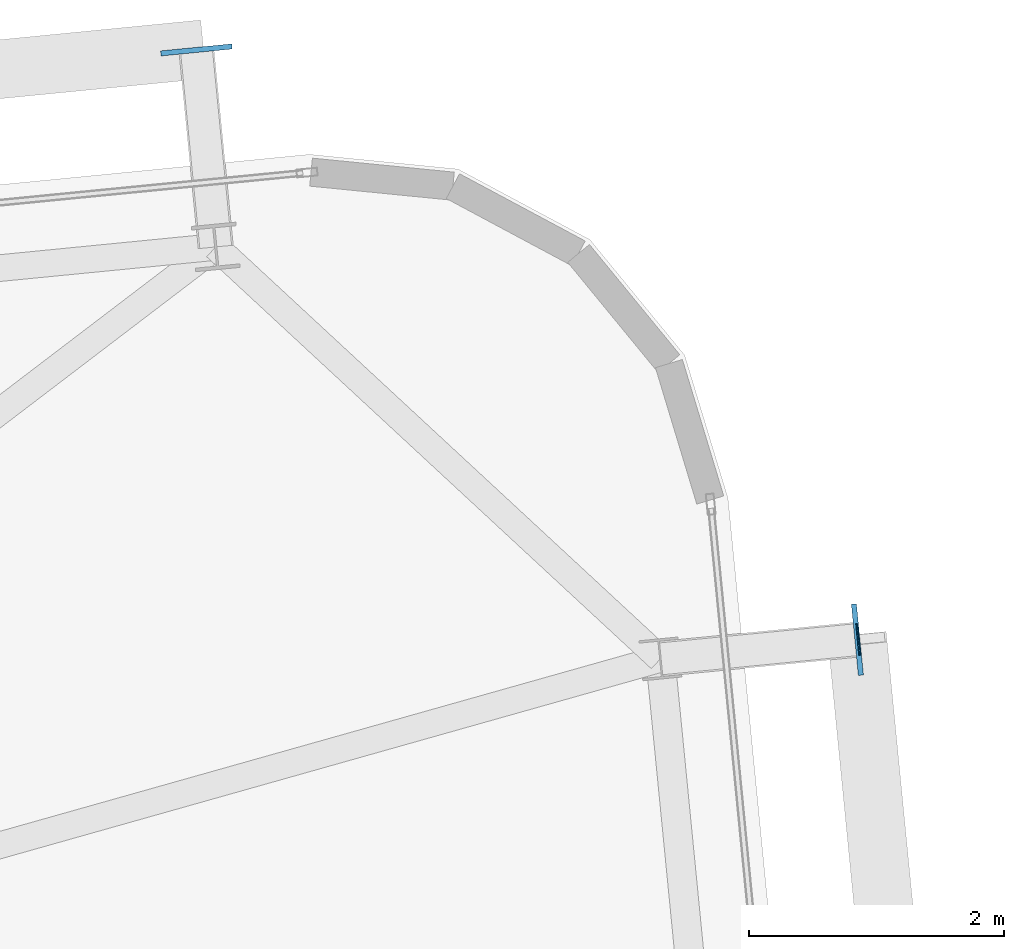
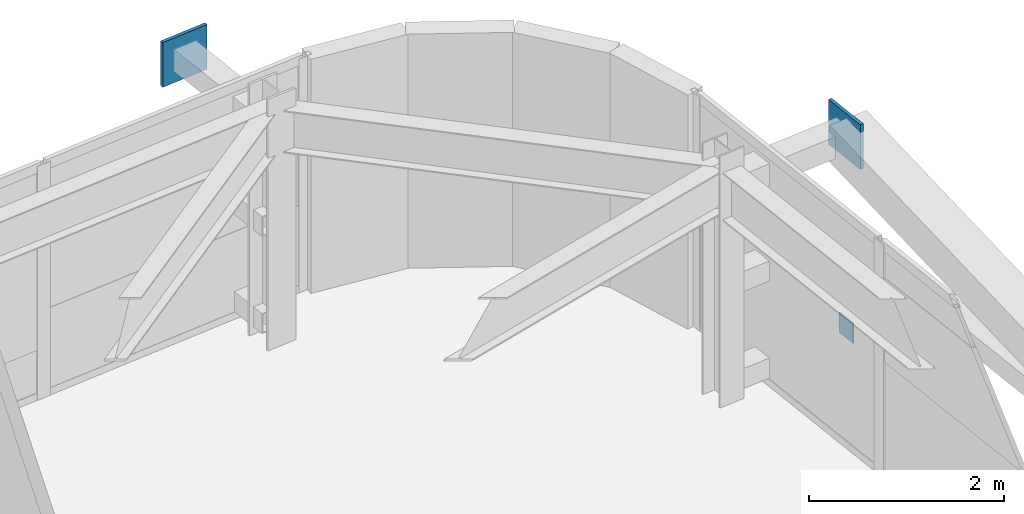
# One storey, part 45 of 54: 3 plates.
"""IFC4 building model written with IfcOpenShell, lengths in metres."""

from ifc_helpers import new_model, si_unit, direction, frame, origin, origin_2d, place, context, subcontext, project, spatial, rectangle, extrude, source, transform, mapped, material, layer, layer_set, type_object, element, save


model = new_model("IFC4")

# Units and contexts
model_context = context("Model", 3, precision=1e-05, world=origin(), true_north=direction((0.0, 1.0)))
body_context = subcontext(model_context, "Body", "Model", "MODEL_VIEW")
ifc_project = project(units=[si_unit("LENGTHUNIT", "METRE"), si_unit("AREAUNIT", "SQUARE_METRE"), si_unit("VOLUMEUNIT", "CUBIC_METRE"), si_unit("PLANEANGLEUNIT", "RADIAN"), si_unit("MASSUNIT", "GRAM", prefix="KILO")], contexts=[model_context])

# Site, building, storey
site_placement = place(None, origin())
site = spatial("IfcSite", under=ifc_project, at=site_placement, CompositionType="ELEMENT")
building_placement = place(site_placement, origin())
building = spatial("IfcBuilding", under=site, at=building_placement, Name="Taldren Reach Tower", CompositionType="ELEMENT")
storey_placement = place(building_placement, frame((0.0, 0.0, 102.89990234375)))
storey = spatial("IfcBuildingStorey", under=building, at=storey_placement, Name="L31", CompositionType="ELEMENT", Elevation=102.89990234375)

# Plates
ifc_material_1 = material(Name="Steel Gr 450 (C450L0)", Category="steel")
ifc_layer_1 = layer(ifc_material_1, 0.0400390625)
ifc_layer_set_1 = layer_set([ifc_layer_1], Name="Steel Gr 450 (C450L0)")
plate_type_1 = type_object("IfcPlateType", Name="PL-GUSSET-40", PredefinedType="SHEET", material=ifc_layer_set_1)
shared_shape_1 = source(origin(), body_context, "Body", "SweptSolid", [
    extrude(rectangle(XDim=0.56005859375, YDim=0.0400390625, at=origin_2d()), origin(), (0.0, 0.0, 1.0), 0.56005859375),
])
for number, where, z_axis, x_axis, name in (
    (1, (59.614501953125, 40.222412109375, 2.3701171875), (0.0, 0.0, 1.0), (0.995227399982, 0.097582899759, 0.0), "Exoskeleton star-node gusset plate B2-N6 L31"),
    (2, (64.789794921875, 35.60546875, 2.3701171875), (0.0, 0.0, 1.0), (-0.097582899759, 0.995227399982, 0.0), "Exoskeleton star-node gusset plate B2-E3 L31"),
):
    element("IfcPlate", number, at=place(storey_placement, frame(where, z_axis=z_axis, x_axis=x_axis)), inside=storey, type_object=plate_type_1, Name=name, PredefinedType="SHEET", context=body_context, shape_type="MappedRepresentation", body=[
        mapped(shared_shape_1, transform((0.0, 0.0, 0.0), scale=1.0)),
    ])
ifc_material_2 = material(Name="Steel Gr 350 (C350L0)", Category="steel")
ifc_layer_2 = layer(ifc_material_2, 0.011962890625)
ifc_layer_set_2 = layer_set([ifc_layer_2], Name="Steel Gr 350 (C350L0)")
plate_type_2 = type_object("IfcPlateType", Name="PL-CAP-250", PredefinedType="SHEET", material=ifc_layer_set_2)
shared_shape_2 = source(origin(), body_context, "Body", "SweptSolid", [
    extrude(rectangle(XDim=0.011962890625, YDim=0.25, at=origin_2d()), origin(), (0.0, 0.0, 1.0), 0.25),
])
plate_placement = place(storey_placement, frame((64.7958984375, 35.60595703125, 0.09521484375), z_axis=(0.0, 0.0, 1.0), x_axis=(0.995227399982, 0.097582899759, 0.0)))
element("IfcPlate", 3, at=plate_placement, inside=storey, type_object=plate_type_2, Name="Tie strut end cap plate B2-E3 L31", PredefinedType="SHEET", context=body_context, shape_type="MappedRepresentation", body=[
    mapped(shared_shape_2, transform((0.0, 0.0, 0.0), scale=1.0)),
])

save(model, "model.ifc")
